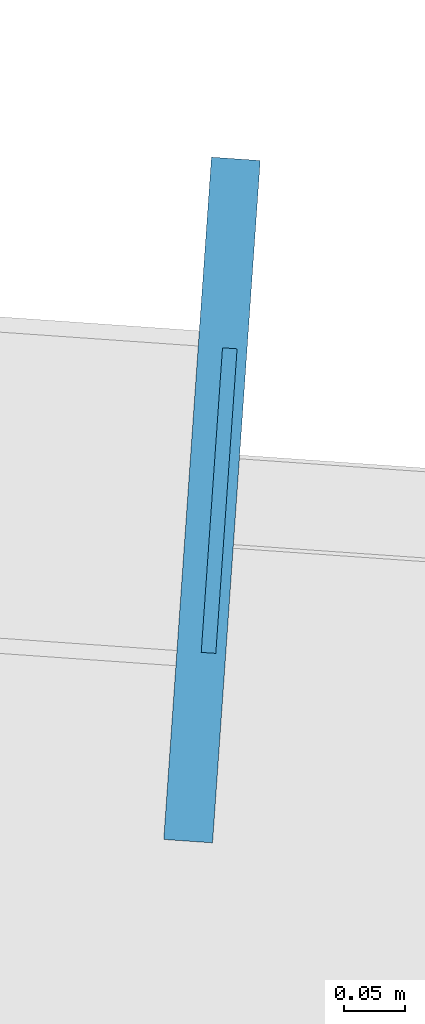
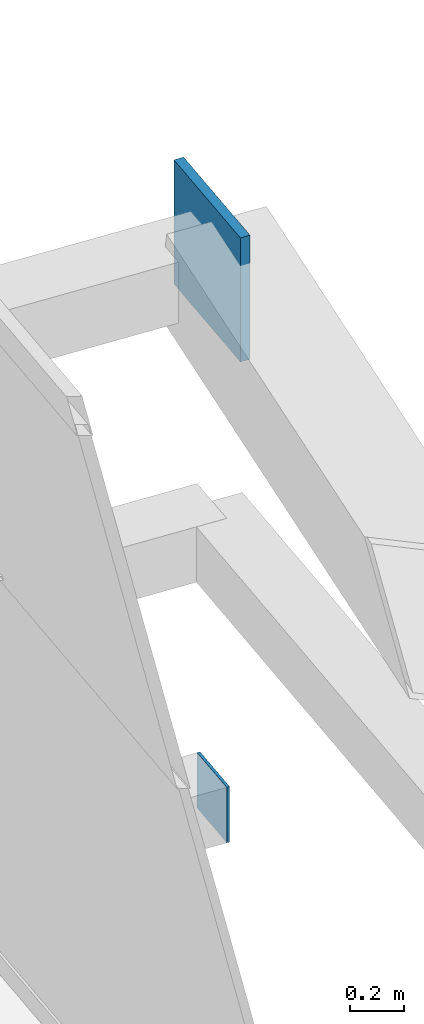
# One storey, part 31 of 39: 2 plates.
"""IFC4 building model written with IfcOpenShell, lengths in metres."""

from ifc_helpers import new_model, si_unit, direction, frame, origin, origin_2d, place, context, subcontext, project, spatial, rectangle, extrude, source, transform, mapped, material, layer, layer_set, type_object, element, save


model = new_model("IFC4")

# Units and contexts
model_context = context("Model", 3, precision=1e-05, world=origin(), true_north=direction((0.0, 1.0)))
body_context = subcontext(model_context, "Body", "Model", "MODEL_VIEW")
ifc_project = project(units=[si_unit("LENGTHUNIT", "METRE"), si_unit("AREAUNIT", "SQUARE_METRE"), si_unit("VOLUMEUNIT", "CUBIC_METRE"), si_unit("PLANEANGLEUNIT", "RADIAN"), si_unit("MASSUNIT", "GRAM", prefix="KILO")], contexts=[model_context])

# Site, building, storey
site_placement = place(None, origin())
site = spatial("IfcSite", under=ifc_project, at=site_placement, CompositionType="ELEMENT")
building_placement = place(site_placement, origin())
building = spatial("IfcBuilding", under=site, at=building_placement, Name="Taldren Reach Tower", CompositionType="ELEMENT")
storey_placement = place(building_placement, frame((0.0, 0.0, 123.550048828125)))
storey = spatial("IfcBuildingStorey", under=building, at=storey_placement, Name="L37", CompositionType="ELEMENT", Elevation=123.550048828125)

# Plates
ifc_material_1 = material(Name="Steel Gr 450 (C450L0)", Category="steel")
ifc_layer_1 = layer(ifc_material_1, 0.0400390625)
ifc_layer_set_1 = layer_set([ifc_layer_1], Name="Steel Gr 450 (C450L0)")
plate_type_1 = type_object("IfcPlateType", Name="PL-GUSSET-40", PredefinedType="SHEET", material=ifc_layer_set_1)
shared_shape_1 = source(origin(), body_context, "Body", "SweptSolid", [
    extrude(rectangle(XDim=0.56005859375, YDim=0.0400390625, at=origin_2d()), origin(), (0.0, 0.0, 1.0), 0.56005859375),
])
plate_1_placement = place(storey_placement, frame((62.87744140625, 30.992431640625, 2.369873046875), z_axis=(0.0, 0.0, 1.0), x_axis=(0.069756473744, 0.99756405026, 0.0)))
element("IfcPlate", 1, at=plate_1_placement, inside=storey, type_object=plate_type_1, Name="Exoskeleton star-node gusset plate B3-E3 L37", PredefinedType="SHEET", context=body_context, shape_type="MappedRepresentation", body=[
    mapped(shared_shape_1, transform((0.0, 0.0, 0.0), scale=1.0)),
])
ifc_material_2 = material(Name="Steel Gr 350 (C350L0)", Category="steel")
ifc_layer_2 = layer(ifc_material_2, 0.011962890625)
ifc_layer_set_2 = layer_set([ifc_layer_2], Name="Steel Gr 350 (C350L0)")
plate_type_2 = type_object("IfcPlateType", Name="PL-CAP-250", PredefinedType="SHEET", material=ifc_layer_set_2)
shared_shape_2 = source(origin(), body_context, "Body", "SweptSolid", [
    extrude(rectangle(XDim=0.011962890625, YDim=0.25, at=origin_2d()), origin(), (0.0, 0.0, 1.0), 0.25),
])
plate_2_placement = place(storey_placement, frame((62.88330078125, 30.991943359375, 0.094970703125), z_axis=(0.0, 0.0, 1.0), x_axis=(0.99756405026, -0.069756473744, 0.0)))
element("IfcPlate", 2, at=plate_2_placement, inside=storey, type_object=plate_type_2, Name="Tie strut end cap plate B3-E3 L37", PredefinedType="SHEET", context=body_context, shape_type="MappedRepresentation", body=[
    mapped(shared_shape_2, transform((0.0, 0.0, 0.0), scale=1.0)),
])

save(model, "model.ifc")
